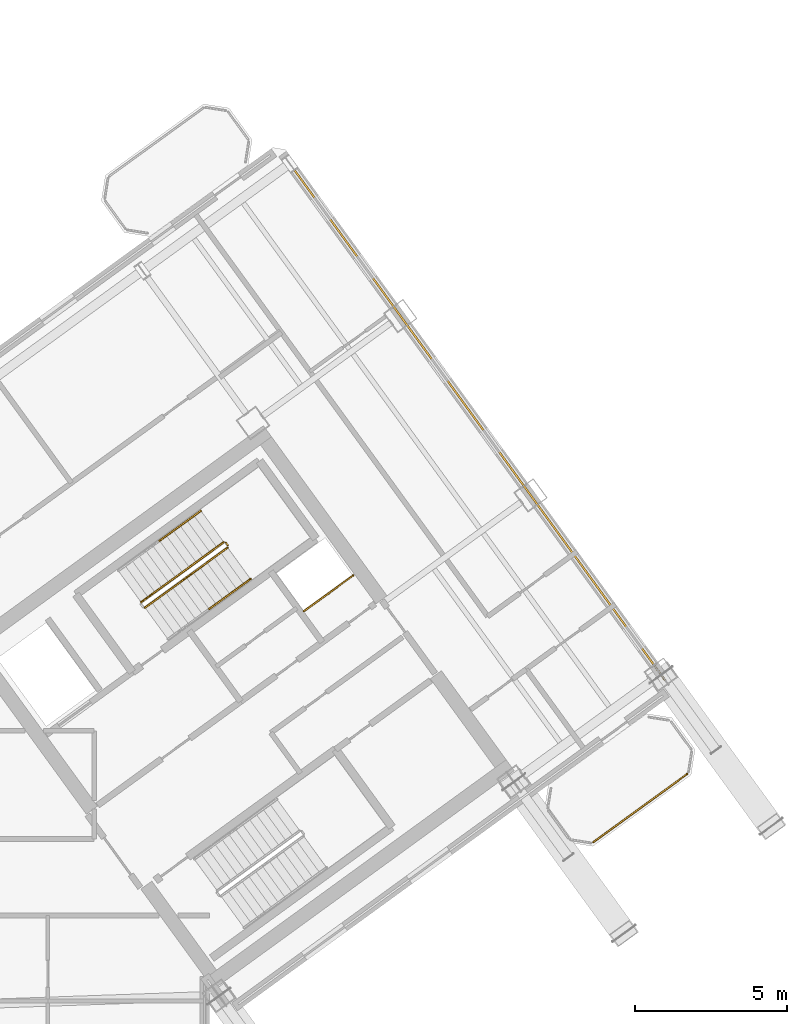
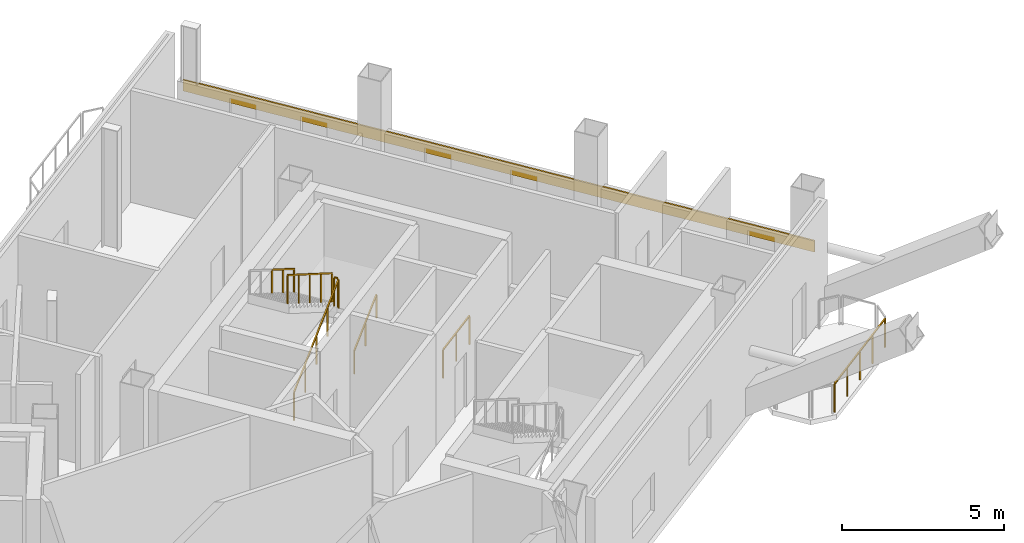
# One storey, part 32 of 34: 7 railings, 1 covering.
"""IFC4 building model written with IfcOpenShell, lengths in metres."""

from ifc_helpers import new_model, si_unit, direction, frame, origin, origin_2d, place, context, subcontext, project, spatial, rectangle, extrude, source, transform, mapped, material, layer, layer_set, type_object, element, save


model = new_model("IFC4")

# Units and contexts
model_context = context("Model", 3, precision=1e-05, world=origin(), true_north=direction((0.0, 1.0)))
body_context = subcontext(model_context, "Body", "Model", "MODEL_VIEW")
ifc_project = project(units=[si_unit("LENGTHUNIT", "METRE"), si_unit("AREAUNIT", "SQUARE_METRE"), si_unit("VOLUMEUNIT", "CUBIC_METRE"), si_unit("PLANEANGLEUNIT", "RADIAN"), si_unit("MASSUNIT", "GRAM", prefix="KILO")], contexts=[model_context])

# Site, building, storey
site_placement = place(None, origin())
site = spatial("IfcSite", under=ifc_project, at=site_placement, CompositionType="ELEMENT")
building_placement = place(site_placement, origin())
building = spatial("IfcBuilding", under=site, at=building_placement, Name="Tlacorven Tower", CompositionType="ELEMENT")
storey_placement = place(building_placement, frame((0.0, 0.0, 229.199951171875)))
storey = spatial("IfcBuildingStorey", under=building, at=storey_placement, Name="L58", CompositionType="ELEMENT", Elevation=229.199951171875)

# Railings
ifc_material_1 = material(Name="Aluminium and painted steel balustrade", Category="steel")
railing_type_1 = type_object("IfcRailingType", Name="RL-GRD-1100", PredefinedType="GUARDRAIL", material=ifc_material_1)
shared_shape_1 = source(origin(), body_context, "Body", "SweptSolid", [
    extrude(rectangle(XDim=0.048095703125, YDim=0.048095703125, at=origin_2d()), frame((0.0, 0.0, 1.076171875), z_axis=(0.808947177504, 0.587881334972, 0.0), x_axis=(-0.587881334972, 0.808947177504, 0.0)), (0.0, 0.0, 1.0), 2.0),
    extrude(rectangle(XDim=0.0419921875, YDim=0.0419921875, at=origin_2d()), origin(), (0.0, 0.0, 1.0), 1.052001953125),
    extrude(rectangle(XDim=0.0419921875, YDim=0.0419921875, at=origin_2d()), frame((0.80908203125, 0.587890625, 0.0)), (0.0, 0.0, 1.0), 1.052001953125),
    extrude(rectangle(XDim=0.0419921875, YDim=0.0419921875, at=origin_2d()), frame((1.617919921875, 1.17578125, 0.0)), (0.0, 0.0, 1.0), 1.052001953125),
])
railing_1_placement = place(storey_placement, frame((55.506103515625, 25.438232421875, 0.0)))
element("IfcRailing", 1, at=railing_1_placement, inside=storey, type_object=railing_type_1, Name="L58 Electrical Riser E Shaft Guard 1", PredefinedType="GUARDRAIL", context=body_context, shape_type="MappedRepresentation", body=[
    mapped(shared_shape_1, transform((0.0, 0.0, 0.0), scale=1.0)),
])
railing_type_2 = type_object("IfcRailingType", Name="RL-BAL-1100", PredefinedType="BALUSTRADE", material=ifc_material_1)
shared_shape_2 = source(origin(), body_context, "Body", "SweptSolid", [
    extrude(rectangle(XDim=0.048095703125, YDim=0.048095703125, at=origin_2d()), frame((0.0, 0.0, 1.076171875), z_axis=(-0.809018102573, -0.587783726986, 0.0), x_axis=(0.587783726986, -0.809018102573, 0.0)), (0.0, 0.0, 1.0), 3.817138671875),
    extrude(rectangle(XDim=0.0419921875, YDim=0.0419921875, at=origin_2d()), origin(), (0.0, 0.0, 1.0), 1.052001953125),
    extrude(rectangle(XDim=0.0419921875, YDim=0.0419921875, at=origin_2d()), frame((-0.77197265625, -0.56103515625, 0.0)), (0.0, 0.0, 1.0), 1.052001953125),
    extrude(rectangle(XDim=0.0419921875, YDim=0.0419921875, at=origin_2d()), frame((-1.5439453125, -1.121826171875, 0.0)), (0.0, 0.0, 1.0), 1.052001953125),
    extrude(rectangle(XDim=0.0419921875, YDim=0.0419921875, at=origin_2d()), frame((-2.316162109375, -1.6826171875, 0.0)), (0.0, 0.0, 1.0), 1.052001953125),
    extrude(rectangle(XDim=0.0419921875, YDim=0.0419921875, at=origin_2d()), frame((-3.088134765625, -2.24365234375, 0.0)), (0.0, 0.0, 1.0), 1.052001953125),
])
railing_2_placement = place(storey_placement, frame((68.12890625, 20.0732421875, 0.0)))
element("IfcRailing", 2, at=railing_2_placement, inside=storey, type_object=railing_type_2, Name="BAL-L58-E-OUT Guard Railing 7", PredefinedType="BALUSTRADE", context=body_context, shape_type="MappedRepresentation", body=[
    mapped(shared_shape_2, transform((0.0, 0.0, 0.0), scale=1.0)),
])

# Covering
ifc_material_2 = material(Name="Precast concrete C45/55", Category="concrete")
ifc_layer = layer(ifc_material_2, 0.06005859375)
ifc_layer_set = layer_set([ifc_layer], Name="Precast concrete C45/55")
covering_type = type_object("IfcCoveringType", Name="CV-CLD-TERC", PredefinedType="CLADDING", material=ifc_layer_set)
shared_shape_3 = source(origin(), body_context, "Body", "SweptSolid", [
    extrude(rectangle(XDim=21.287353515625, YDim=0.06005859375, at=origin_2d()), origin(), (0.0, 0.0, 1.0), 0.419921875),
])
covering_placement = place(storey_placement, frame((61.15478515625, 31.767333984375, 1.97509765625), z_axis=(0.0, 0.0, 1.0), x_axis=(0.587785363163, -0.809016913823, 0.0)))
element("IfcCovering", 3, at=covering_placement, inside=storey, type_object=covering_type, Name="L58 Masonry-Frame Spandrel Cladding 5", PredefinedType="CLADDING", context=body_context, shape_type="MappedRepresentation", body=[
    mapped(shared_shape_3, transform((0.0, 0.0, 0.0), scale=1.0)),
])

# Railings
shared_shape_4 = source(origin(), body_context, "Body", "SweptSolid", [
    extrude(rectangle(XDim=0.048095703125, YDim=0.048095703125, at=origin_2d()), frame((0.0, 0.0, 1.076171875), z_axis=(-0.587567097037, 0.809175448515, 0.0), x_axis=(-0.809175448515, -0.587567097037, 0.0)), (0.0, 0.0, 1.0), 0.1201171875),
    extrude(rectangle(XDim=0.0419921875, YDim=0.0419921875, at=origin_2d()), origin(), (0.0, 0.0, 1.0), 1.052001953125),
    extrude(rectangle(XDim=0.0419921875, YDim=0.0419921875, at=origin_2d()), frame((-0.070556640625, 0.09716796875, 0.0)), (0.0, 0.0, 1.0), 1.052001953125),
])
railing_3_placement = place(storey_placement, frame((53.006591796875, 27.6025390625, 2.25)))
element("IfcRailing", 4, at=railing_3_placement, inside=storey, type_object=railing_type_1, Name="L58 ST-E1 stair guard 2", PredefinedType="GUARDRAIL", context=body_context, shape_type="MappedRepresentation", body=[
    mapped(shared_shape_4, transform((0.0, 0.0, 0.0), scale=1.0)),
])
shared_shape_5 = source(origin(), body_context, "Body", "SweptSolid", [
    extrude(rectangle(XDim=0.048095703125, YDim=0.048095703125, at=origin_2d()), frame((0.0, 0.0, 1.076171875), z_axis=(0.688166980386, 0.499962520599, 0.525798141023), x_axis=(-0.587769819143, 0.809028206989, 0.0)), (0.0, 0.0, 1.0), 3.949951171875),
    extrude(rectangle(XDim=0.0419921875, YDim=0.0419921875, at=origin_2d()), origin(), (0.0, 0.0, 1.0), 1.052001953125),
    extrude(rectangle(XDim=0.0419921875, YDim=0.0419921875, at=origin_2d()), frame((0.6796875, 0.49365234375, 0.519287109375)), (0.0, 0.0, 1.0), 1.052001953125),
    extrude(rectangle(XDim=0.0419921875, YDim=0.0419921875, at=origin_2d()), frame((1.359130859375, 0.9873046875, 1.03857421875)), (0.0, 0.0, 1.0), 1.052001953125),
    extrude(rectangle(XDim=0.0419921875, YDim=0.0419921875, at=origin_2d()), frame((2.03857421875, 1.481201171875, 1.5576171875)), (0.0, 0.0, 1.0), 1.052001953125),
    extrude(rectangle(XDim=0.0419921875, YDim=0.0419921875, at=origin_2d()), frame((2.71826171875, 1.974853515625, 2.076904296875)), (0.0, 0.0, 1.0), 1.052001953125),
])
railing_4_placement = place(storey_placement, frame((50.27734375, 25.557861328125, 0.173095703125)))
element("IfcRailing", 5, at=railing_4_placement, inside=storey, type_object=railing_type_1, Name="L58 ST-E1 stair guard 1", PredefinedType="GUARDRAIL", context=body_context, shape_type="MappedRepresentation", body=[
    mapped(shared_shape_5, transform((0.0, 0.0, 0.0), scale=1.0)),
])
shared_shape_6 = source(origin(), body_context, "Body", "SweptSolid", [
    extrude(rectangle(XDim=0.048095703125, YDim=0.048095703125, at=origin_2d()), frame((0.0, 0.0, 1.076171875), z_axis=(-0.688166980386, -0.499962520599, 0.525798141023), x_axis=(0.587769819143, -0.809028206989, 0.0)), (0.0, 0.0, 1.0), 3.949951171875),
    extrude(rectangle(XDim=0.0419921875, YDim=0.0419921875, at=origin_2d()), origin(), (0.0, 0.0, 1.0), 1.052001953125),
    extrude(rectangle(XDim=0.0419921875, YDim=0.0419921875, at=origin_2d()), frame((-0.6796875, -0.49365234375, 0.519287109375)), (0.0, 0.0, 1.0), 1.052001953125),
    extrude(rectangle(XDim=0.0419921875, YDim=0.0419921875, at=origin_2d()), frame((-1.359130859375, -0.9873046875, 1.03857421875)), (0.0, 0.0, 1.0), 1.052001953125),
    extrude(rectangle(XDim=0.0419921875, YDim=0.0419921875, at=origin_2d()), frame((-2.03857421875, -1.481201171875, 1.5576171875)), (0.0, 0.0, 1.0), 1.052001953125),
    extrude(rectangle(XDim=0.0419921875, YDim=0.0419921875, at=origin_2d()), frame((-2.71826171875, -1.974853515625, 2.076904296875)), (0.0, 0.0, 1.0), 1.052001953125),
])
railing_5_placement = place(storey_placement, frame((52.8662109375, 27.710693359375, 2.423095703125)))
element("IfcRailing", 6, at=railing_5_placement, inside=storey, type_object=railing_type_1, Name="L58 ST-E1 stair guard 3", PredefinedType="GUARDRAIL", context=body_context, shape_type="MappedRepresentation", body=[
    mapped(shared_shape_6, transform((0.0, 0.0, 0.0), scale=1.0)),
])
railing_type_3 = type_object("IfcRailingType", Name="RL-HND-0900", PredefinedType="HANDRAIL", material=ifc_material_1)
shared_shape_7 = source(origin(), body_context, "Body", "SweptSolid", [
    extrude(rectangle(XDim=0.048095703125, YDim=0.048095703125, at=origin_2d()), frame((0.0, 0.0, 0.8759765625), z_axis=(0.688210611632, 0.49993240766, 0.525769666117), x_axis=(-0.587722256323, 0.809062759879, 0.0)), (0.0, 0.0, 1.0), 1.974853515625),
    extrude(rectangle(XDim=0.0419921875, YDim=0.0419921875, at=origin_2d()), origin(), (0.0, 0.0, 1.0), 0.851806640625),
    extrude(rectangle(XDim=0.0419921875, YDim=0.0419921875, at=origin_2d()), frame((0.6796875, 0.49365234375, 0.51904296875)), (0.0, 0.0, 1.0), 0.851806640625),
    extrude(rectangle(XDim=0.0419921875, YDim=0.0419921875, at=origin_2d()), frame((1.359130859375, 0.9873046875, 1.038330078125)), (0.0, 0.0, 1.0), 0.851806640625),
])
railing_6_placement = place(storey_placement, frame((52.388671875, 25.509765625, 1.211669921875)))
element("IfcRailing", 7, at=railing_6_placement, inside=storey, type_object=railing_type_3, Name="L58 ST-E1 stair handrail 2", PredefinedType="HANDRAIL", context=body_context, shape_type="MappedRepresentation", body=[
    mapped(shared_shape_7, transform((0.0, 0.0, 0.0), scale=1.0)),
])
shared_shape_8 = source(origin(), body_context, "Body", "SweptSolid", [
    extrude(rectangle(XDim=0.048095703125, YDim=0.048095703125, at=origin_2d()), frame((0.0, 0.0, 0.8759765625), z_axis=(-0.688123352181, -0.499992627909, 0.525826610414), x_axis=(0.587817375869, -0.808993654256, 0.0)), (0.0, 0.0, 1.0), 1.97509765625),
    extrude(rectangle(XDim=0.0419921875, YDim=0.0419921875, at=origin_2d()), origin(), (0.0, 0.0, 1.0), 0.851806640625),
    extrude(rectangle(XDim=0.0419921875, YDim=0.0419921875, at=origin_2d()), frame((-0.6796875, -0.49365234375, 0.519287109375)), (0.0, 0.0, 1.0), 0.851806640625),
    extrude(rectangle(XDim=0.0419921875, YDim=0.0419921875, at=origin_2d()), frame((-1.359130859375, -0.987548828125, 1.03857421875)), (0.0, 0.0, 1.0), 0.851806640625),
])
railing_7_placement = place(storey_placement, frame((52.11376953125, 28.746337890625, 2.423095703125)))
element("IfcRailing", 8, at=railing_7_placement, inside=storey, type_object=railing_type_3, Name="L58 ST-E1 stair handrail 3", PredefinedType="HANDRAIL", context=body_context, shape_type="MappedRepresentation", body=[
    mapped(shared_shape_8, transform((0.0, 0.0, 0.0), scale=1.0)),
])

save(model, "model.ifc")
